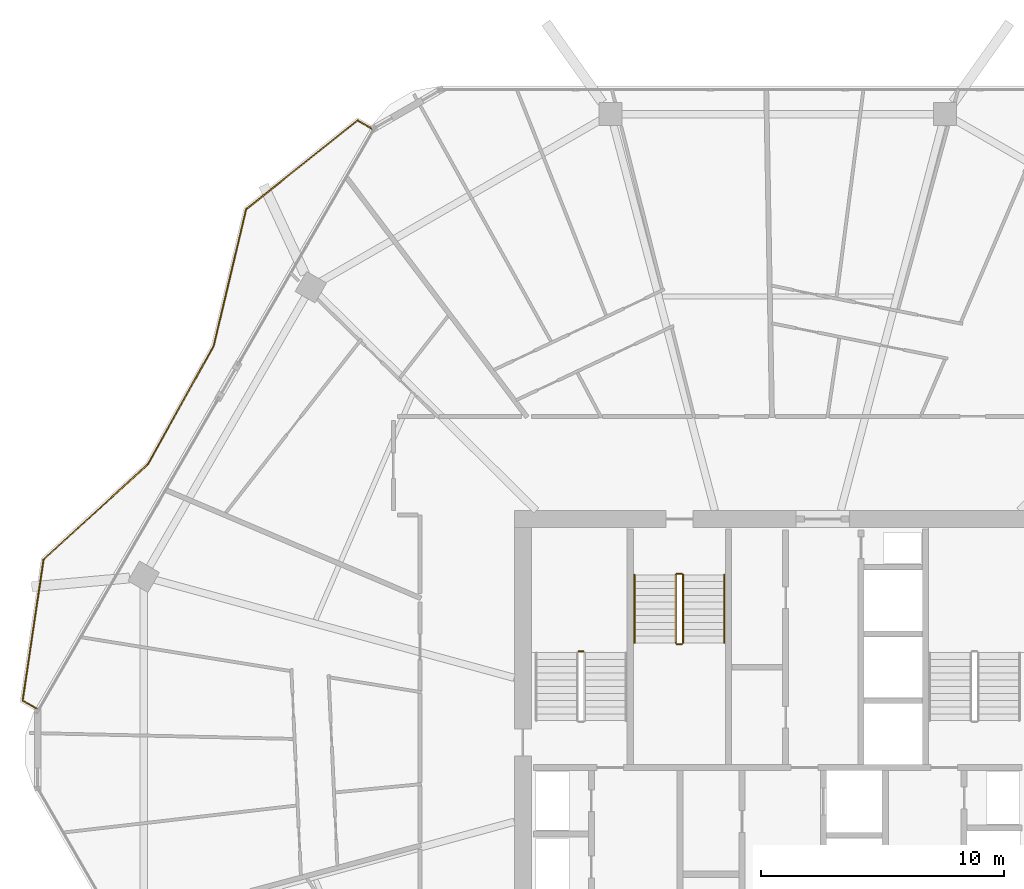
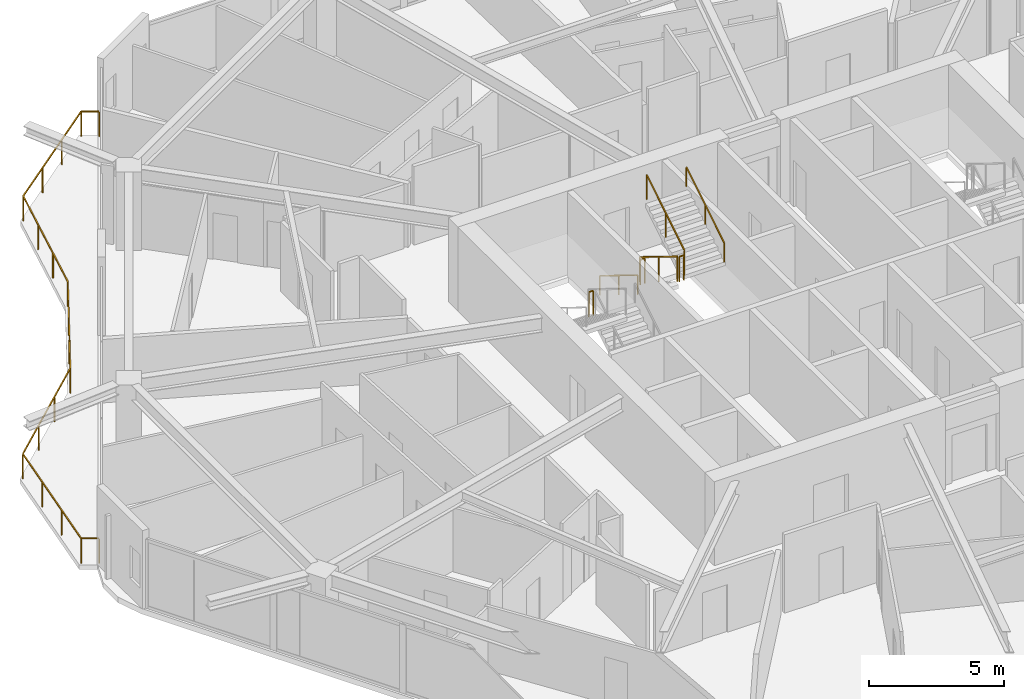
# One storey, part 26 of 27: 8 railings.
"""IFC4 building model written with IfcOpenShell, lengths in metres."""

from ifc_helpers import new_model, si_unit, direction, frame, origin, origin_2d, place, context, subcontext, project, spatial, rectangle, extrude, material, type_object, element, save


model = new_model("IFC4")

# Units and contexts
model_context = context("Model", 3, precision=1e-05, world=origin(), true_north=direction((0.0, 1.0)))
body_context = subcontext(model_context, "Body", "Model", "MODEL_VIEW")
ifc_project = project(units=[si_unit("LENGTHUNIT", "METRE"), si_unit("AREAUNIT", "SQUARE_METRE"), si_unit("VOLUMEUNIT", "CUBIC_METRE"), si_unit("PLANEANGLEUNIT", "RADIAN"), si_unit("MASSUNIT", "GRAM", prefix="KILO")], contexts=[model_context])

# Site, building, storey
site_placement = place(None, origin())
site = spatial("IfcSite", under=ifc_project, at=site_placement, CompositionType="ELEMENT")
building_placement = place(site_placement, origin())
building = spatial("IfcBuilding", under=site, at=building_placement, Name="Zuhravey Tower", CompositionType="ELEMENT")
storey_placement = place(building_placement, frame((0.0, 0.0, 188.39990234375)))
storey = spatial("IfcBuildingStorey", under=building, at=storey_placement, Name="L47", CompositionType="ELEMENT", Elevation=188.39990234375)

# Railings
ifc_material_1 = material(Name="Stainless steel 316 and laminated glass", Category="steel")
railing_type_1 = type_object("IfcRailingType", Name="Balcony & Terrace Guardrail 1150", PredefinedType="BALUSTRADE", material=ifc_material_1)
railing_1_placement = place(storey_placement, frame((5.489990234375, 33.691650390625, 0.0)))
element("IfcRailing", 1, at=railing_1_placement, inside=storey, type_object=railing_type_1, Name="L47 Face 3 Wave Balcony Guardrail GR1", PredefinedType="BALUSTRADE", context=body_context, shape_type="SweptSolid", body=[
    extrude(rectangle(XDim=0.048095703125, YDim=0.048095703125, at=origin_2d()), frame((-0.001708984375, 0.0009765625, 1.1259765625), z_axis=(-0.865997973348, 0.5000475079, 0.0), x_axis=(-0.5000475079, -0.865997973348, 0.0)), (0.0, 0.0, 1.0), 0.667724609375),
    extrude(rectangle(XDim=0.048095703125, YDim=0.048095703125, at=origin_2d()), frame((-0.58154296875, 0.337890625, 1.1259765625), z_axis=(0.146764189716, 0.989171508191, 0.0), x_axis=(-0.989171508191, 0.146764189716, 0.0)), (0.0, 0.0, 1.0), 5.866455078125),
    extrude(rectangle(XDim=0.048095703125, YDim=0.048095703125, at=origin_2d()), frame((0.28125, 6.144287109375, 1.1259765625), z_axis=(0.7387410654, 0.673989345829, 0.0), x_axis=(-0.673989345829, 0.7387410654, 0.0)), (0.0, 0.0, 1.0), 5.80615234375),
    extrude(rectangle(XDim=0.048095703125, YDim=0.048095703125, at=origin_2d()), frame((4.572998046875, 10.060546875, 1.1259765625), z_axis=(0.48580246589, 0.874068626674, 0.0), x_axis=(-0.874068626674, 0.48580246589, 0.0)), (0.0, 0.0, 1.0), 5.582763671875),
    extrude(rectangle(XDim=0.048095703125, YDim=0.048095703125, at=origin_2d()), frame((7.28662109375, 14.944091796875, 1.1259765625), z_axis=(0.230986440495, 0.972956969402, 0.0), x_axis=(-0.972956969402, 0.230986440495, 0.0)), (0.0, 0.0, 1.0), 5.7744140625),
    extrude(rectangle(XDim=0.048095703125, YDim=0.048095703125, at=origin_2d()), frame((8.622314453125, 20.5654296875, 1.1259765625), z_axis=(0.781984116778, 0.623298356412, 0.0), x_axis=(-0.623298356412, 0.781984116778, 0.0)), (0.0, 0.0, 1.0), 5.8623046875),
    extrude(rectangle(XDim=0.048095703125, YDim=0.048095703125, at=origin_2d()), frame((13.2099609375, 24.2197265625, 1.1259765625), z_axis=(0.865997973348, -0.5000475079, 0.0), x_axis=(0.5000475079, 0.865997973348, 0.0)), (0.0, 0.0, 1.0), 0.667724609375),
    extrude(rectangle(XDim=0.0419921875, YDim=0.0419921875, at=origin_2d()), origin(), (0.0, 0.0, 1.0), 1.099853515625),
    extrude(rectangle(XDim=0.0419921875, YDim=0.0419921875, at=origin_2d()), frame((-0.581787109375, 0.3359375, 0.0)), (0.0, 0.0, 1.0), 1.099853515625),
    extrude(rectangle(XDim=0.0419921875, YDim=0.0419921875, at=origin_2d()), frame((-0.294677734375, 2.271484375, 0.0)), (0.0, 0.0, 1.0), 1.099853515625),
    extrude(rectangle(XDim=0.0419921875, YDim=0.0419921875, at=origin_2d()), frame((-0.00732421875, 4.207275390625, 0.0)), (0.0, 0.0, 1.0), 1.099853515625),
    extrude(rectangle(XDim=0.0419921875, YDim=0.0419921875, at=origin_2d()), frame((0.27978515625, 6.142822265625, 0.0)), (0.0, 0.0, 1.0), 1.099853515625),
    extrude(rectangle(XDim=0.0419921875, YDim=0.0419921875, at=origin_2d()), frame((1.71044921875, 7.4482421875, 0.0)), (0.0, 0.0, 1.0), 1.099853515625),
    extrude(rectangle(XDim=0.0419921875, YDim=0.0419921875, at=origin_2d()), frame((3.141357421875, 8.75341796875, 0.0)), (0.0, 0.0, 1.0), 1.099853515625),
    extrude(rectangle(XDim=0.0419921875, YDim=0.0419921875, at=origin_2d()), frame((4.572021484375, 10.058837890625, 0.0)), (0.0, 0.0, 1.0), 1.099853515625),
    extrude(rectangle(XDim=0.0419921875, YDim=0.0419921875, at=origin_2d()), frame((5.476806640625, 11.6865234375, 0.0)), (0.0, 0.0, 1.0), 1.099853515625),
    extrude(rectangle(XDim=0.0419921875, YDim=0.0419921875, at=origin_2d()), frame((6.38134765625, 13.314453125, 0.0)), (0.0, 0.0, 1.0), 1.099853515625),
    extrude(rectangle(XDim=0.0419921875, YDim=0.0419921875, at=origin_2d()), frame((7.2861328125, 14.942138671875, 0.0)), (0.0, 0.0, 1.0), 1.099853515625),
    extrude(rectangle(XDim=0.0419921875, YDim=0.0419921875, at=origin_2d()), frame((7.73095703125, 16.816162109375, 0.0)), (0.0, 0.0, 1.0), 1.099853515625),
    extrude(rectangle(XDim=0.0419921875, YDim=0.0419921875, at=origin_2d()), frame((8.176025390625, 18.690185546875, 0.0)), (0.0, 0.0, 1.0), 1.099853515625),
    extrude(rectangle(XDim=0.0419921875, YDim=0.0419921875, at=origin_2d()), frame((8.620849609375, 20.564208984375, 0.0)), (0.0, 0.0, 1.0), 1.099853515625),
    extrude(rectangle(XDim=0.0419921875, YDim=0.0419921875, at=origin_2d()), frame((10.14990234375, 21.782958984375, 0.0)), (0.0, 0.0, 1.0), 1.099853515625),
    extrude(rectangle(XDim=0.0419921875, YDim=0.0419921875, at=origin_2d()), frame((11.67919921875, 23.001953125, 0.0)), (0.0, 0.0, 1.0), 1.099853515625),
    extrude(rectangle(XDim=0.0419921875, YDim=0.0419921875, at=origin_2d()), frame((13.208251953125, 24.220703125, 0.0)), (0.0, 0.0, 1.0), 1.099853515625),
    extrude(rectangle(XDim=0.0419921875, YDim=0.0419921875, at=origin_2d()), frame((13.7900390625, 23.884765625, 0.0)), (0.0, 0.0, 1.0), 1.099853515625),
])
ifc_material_2 = material(Name="Brushed stainless steel", Category="steel")
railing_type_2 = type_object("IfcRailingType", Name="Stair Wall Handrail 900", PredefinedType="HANDRAIL", material=ifc_material_2)
railing_2_placement = place(storey_placement, frame((30.10009765625, 39.199951171875, 0.1728515625)))
element("IfcRailing", 2, at=railing_2_placement, inside=storey, type_object=railing_type_2, Name="L47 ST3 stair handrail 1", PredefinedType="HANDRAIL", context=body_context, shape_type="SweptSolid", body=[
    extrude(rectangle(XDim=0.048095703125, YDim=0.048095703125, at=origin_2d()), frame((0.0, -0.001708984375, 0.876953125), z_axis=(0.0, -0.851089632645, 0.525020415988), x_axis=(1.0, 0.0, 0.0)), (0.0, 0.0, 1.0), 3.285888671875),
    extrude(rectangle(XDim=0.0419921875, YDim=0.0419921875, at=origin_2d()), origin(), (0.0, 0.0, 1.0), 0.849853515625),
    extrude(rectangle(XDim=0.0419921875, YDim=0.0419921875, at=origin_2d()), frame((0.0, -1.39990234375, 0.86376953125)), (0.0, 0.0, 1.0), 0.849853515625),
    extrude(rectangle(XDim=0.0419921875, YDim=0.0419921875, at=origin_2d()), frame((0.0, -2.800048828125, 1.727294921875)), (0.0, 0.0, 1.0), 0.849853515625),
])
railing_3_placement = place(storey_placement, frame((33.800048828125, 36.39990234375, 2.07275390625)))
element("IfcRailing", 3, at=railing_3_placement, inside=storey, type_object=railing_type_2, Name="L47 ST3 stair handrail 2", PredefinedType="HANDRAIL", context=body_context, shape_type="SweptSolid", body=[
    extrude(rectangle(XDim=0.048095703125, YDim=0.048095703125, at=origin_2d()), frame((0.0, 0.001708984375, 0.876953125), z_axis=(0.0, 0.851089632645, 0.525020415988), x_axis=(-1.0, 0.0, 0.0)), (0.0, 0.0, 1.0), 3.285888671875),
    extrude(rectangle(XDim=0.0419921875, YDim=0.0419921875, at=origin_2d()), origin(), (0.0, 0.0, 1.0), 0.849853515625),
    extrude(rectangle(XDim=0.0419921875, YDim=0.0419921875, at=origin_2d()), frame((0.0, 1.39990234375, 0.86376953125)), (0.0, 0.0, 1.0), 0.849853515625),
    extrude(rectangle(XDim=0.0419921875, YDim=0.0419921875, at=origin_2d()), frame((0.0, 2.800048828125, 1.727294921875)), (0.0, 0.0, 1.0), 0.849853515625),
])
ifc_material_3 = material(Name="Painted tubular steel", Category="steel")
railing_type_3 = type_object("IfcRailingType", Name="Stair Well Guardrail 1150", PredefinedType="GUARDRAIL", material=ifc_material_3)
railing_4_placement = place(storey_placement, frame((28.0, 36.050048828125, 1.900146484375)))
element("IfcRailing", 4, at=railing_4_placement, inside=storey, type_object=railing_type_3, Name="L47 ST1 stair guard 2", PredefinedType="GUARDRAIL", context=body_context, shape_type="SweptSolid", body=[
    extrude(rectangle(XDim=0.048095703125, YDim=0.048095703125, at=origin_2d()), frame((-0.001953125, 0.0, 1.1259765625), z_axis=(-1.0, 0.0, 0.0), x_axis=(0.0, -1.0, 0.0)), (0.0, 0.0, 1.0), 0.196044921875),
    extrude(rectangle(XDim=0.0419921875, YDim=0.0419921875, at=origin_2d()), origin(), (0.0, 0.0, 1.0), 1.099853515625),
    extrude(rectangle(XDim=0.0419921875, YDim=0.0419921875, at=origin_2d()), frame((-0.199951171875, 0.0, 0.0)), (0.0, 0.0, 1.0), 1.099853515625),
])
railing_5_placement = place(storey_placement, frame((31.800048828125, 39.199951171875, 0.1728515625)))
element("IfcRailing", 5, at=railing_5_placement, inside=storey, type_object=railing_type_3, Name="L47 ST3 stair guard 1", PredefinedType="GUARDRAIL", context=body_context, shape_type="SweptSolid", body=[
    extrude(rectangle(XDim=0.048095703125, YDim=0.048095703125, at=origin_2d()), frame((0.0, -0.001708984375, 1.126953125), z_axis=(0.0, -0.851089632645, 0.525020415988), x_axis=(1.0, 0.0, 0.0)), (0.0, 0.0, 1.0), 3.285888671875),
    extrude(rectangle(XDim=0.0419921875, YDim=0.0419921875, at=origin_2d()), origin(), (0.0, 0.0, 1.0), 1.099853515625),
    extrude(rectangle(XDim=0.0419921875, YDim=0.0419921875, at=origin_2d()), frame((0.0, -1.39990234375, 0.86376953125)), (0.0, 0.0, 1.0), 1.099853515625),
    extrude(rectangle(XDim=0.0419921875, YDim=0.0419921875, at=origin_2d()), frame((0.0, -2.800048828125, 1.727294921875)), (0.0, 0.0, 1.0), 1.099853515625),
])
railing_6_placement = place(storey_placement, frame((31.85009765625, 36.35009765625, 1.900146484375)))
element("IfcRailing", 6, at=railing_6_placement, inside=storey, type_object=railing_type_3, Name="L47 ST3 stair guard 2", PredefinedType="GUARDRAIL", context=body_context, shape_type="SweptSolid", body=[
    extrude(rectangle(XDim=0.048095703125, YDim=0.048095703125, at=origin_2d()), frame((0.001953125, 0.0, 1.1259765625), z_axis=(1.0, 0.0, 0.0), x_axis=(0.0, 1.0, 0.0)), (0.0, 0.0, 1.0), 0.196044921875),
    extrude(rectangle(XDim=0.0419921875, YDim=0.0419921875, at=origin_2d()), origin(), (0.0, 0.0, 1.0), 1.099853515625),
    extrude(rectangle(XDim=0.0419921875, YDim=0.0419921875, at=origin_2d()), frame((0.199951171875, 0.0, 0.0)), (0.0, 0.0, 1.0), 1.099853515625),
])
railing_7_placement = place(storey_placement, frame((32.10009765625, 36.39990234375, 2.07275390625)))
element("IfcRailing", 7, at=railing_7_placement, inside=storey, type_object=railing_type_3, Name="L47 ST3 stair guard 3", PredefinedType="GUARDRAIL", context=body_context, shape_type="SweptSolid", body=[
    extrude(rectangle(XDim=0.048095703125, YDim=0.048095703125, at=origin_2d()), frame((0.0, 0.001708984375, 1.126953125), z_axis=(0.0, 0.851089632645, 0.525020415988), x_axis=(-1.0, 0.0, 0.0)), (0.0, 0.0, 1.0), 3.285888671875),
    extrude(rectangle(XDim=0.0419921875, YDim=0.0419921875, at=origin_2d()), origin(), (0.0, 0.0, 1.0), 1.099853515625),
    extrude(rectangle(XDim=0.0419921875, YDim=0.0419921875, at=origin_2d()), frame((0.0, 1.39990234375, 0.86376953125)), (0.0, 0.0, 1.0), 1.099853515625),
    extrude(rectangle(XDim=0.0419921875, YDim=0.0419921875, at=origin_2d()), frame((0.0, 2.800048828125, 1.727294921875)), (0.0, 0.0, 1.0), 1.099853515625),
])
railing_8_placement = place(storey_placement, frame((31.85009765625, 39.25, 0.0)))
element("IfcRailing", 8, at=railing_8_placement, inside=storey, type_object=railing_type_3, Name="L47 ST3 stair guard 4", PredefinedType="GUARDRAIL", context=body_context, shape_type="SweptSolid", body=[
    extrude(rectangle(XDim=0.048095703125, YDim=0.048095703125, at=origin_2d()), frame((0.001953125, 0.0, 1.1259765625), z_axis=(1.0, 0.0, 0.0), x_axis=(0.0, 1.0, 0.0)), (0.0, 0.0, 1.0), 0.196044921875),
    extrude(rectangle(XDim=0.0419921875, YDim=0.0419921875, at=origin_2d()), origin(), (0.0, 0.0, 1.0), 1.099853515625),
    extrude(rectangle(XDim=0.0419921875, YDim=0.0419921875, at=origin_2d()), frame((0.199951171875, 0.0, 0.0)), (0.0, 0.0, 1.0), 1.099853515625),
])

save(model, "model.ifc")
